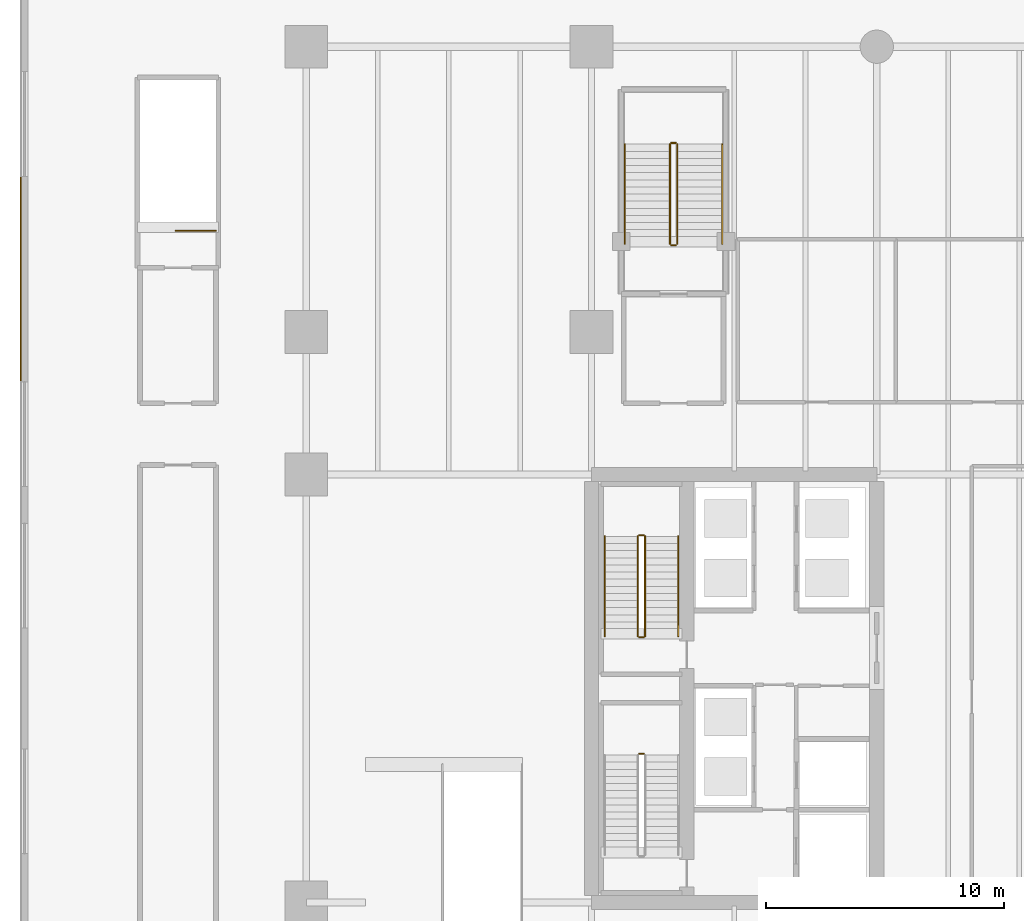
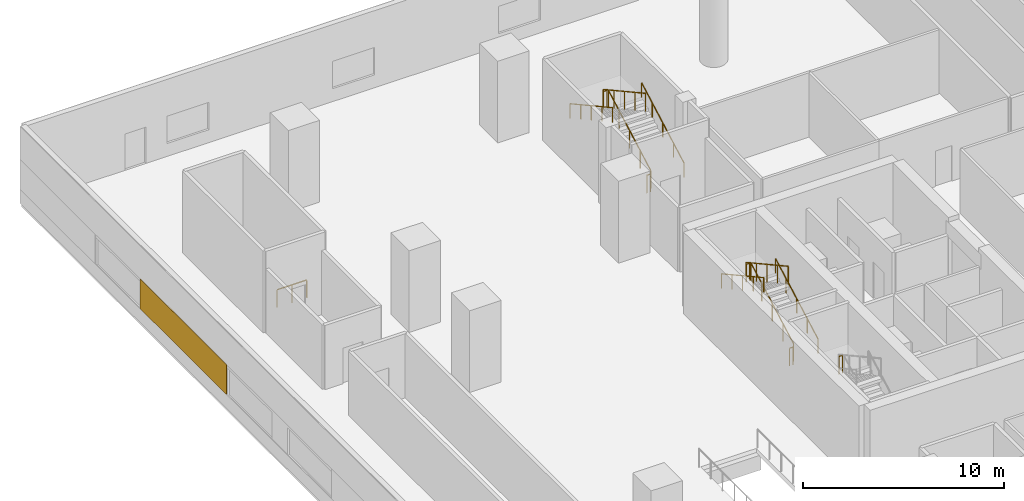
# One storey, part 20 of 25: 14 railings, 1 covering.
"""IFC4 building model written with IfcOpenShell, lengths in metres."""

import ifcopenshell
import ifcopenshell.guid

model = None  # the IFC model being written
_history = None  # IfcOwnerHistory: only IFC2X3 demands one
_inside = {}  # id of a spatial element -> (the spatial element, [elements in it])
_under = {}  # id of a project, library or spatial element -> (it, [spatial elements below it])
_declared = {}  # id of a project -> (the project, [libraries it declares])
_typed = {}  # id of a type object -> (the type object, [elements of that type])
_made_of = {}  # id of a material, layer set ... -> (it, [elements and type objects made of it])


def new_model(schema):
    """Start an empty IFC model of exactly this schema.

    Asked for "IFC4X3", IfcOpenShell would pick the latest addendum, in which some entities
    have other attributes; the version numbers below select the first issue.
    IFC2X3 requires an IfcOwnerHistory on every rooted entity: one is made here for all.
    """
    global model, _history
    if schema == "IFC4X3":
        model = ifcopenshell.file(schema_version=(4, 3, 0, 0))
    else:
        model = ifcopenshell.file(schema=schema)
    _inside.clear()
    _under.clear()
    _declared.clear()
    _typed.clear()
    _made_of.clear()
    _history = None
    if model.schema == "IFC2X3":
        org = make("IfcOrganization", Name="unknown")
        user = make(
            "IfcPersonAndOrganization",
            ThePerson=make("IfcPerson", FamilyName="unknown"),
            TheOrganization=org,
        )
        app = make(
            "IfcApplication",
            ApplicationDeveloper=org,
            Version="unknown",
            ApplicationFullName="unknown",
            ApplicationIdentifier="unknown",
        )
        _history = make(
            "IfcOwnerHistory",
            OwningUser=user,
            OwningApplication=app,
            ChangeAction="ADDED",
            CreationDate=0,
        )
    return model


def make(cls, **values):
    """One entity of the class cls with the attributes given. An attribute that is None is left unset."""
    return model.create_entity(
        cls, **{name: value for name, value in values.items() if value is not None}
    )


def rooted(cls, **values):
    """An entity with a GlobalId (a new one), such as an element, a storey or a relation."""
    return make(cls, GlobalId=ifcopenshell.guid.new(), OwnerHistory=_history, **values)


def si_unit(unit_type, name, prefix=None):
    """IfcSIUnit, for example si_unit("LENGTHUNIT", "METRE", prefix="MILLI")."""
    return make("IfcSIUnit", UnitType=unit_type, Prefix=prefix, Name=name)


def assignment(units):
    """IfcUnitAssignment: the units of a project."""
    return None if units is None else make("IfcUnitAssignment", Units=units)


def point(xyz):
    """IfcCartesianPoint."""
    return None if xyz is None else make("IfcCartesianPoint", Coordinates=xyz)


def direction(xyz):
    """IfcDirection."""
    return None if xyz is None else make("IfcDirection", DirectionRatios=xyz)


def frame(location, z_axis=None, x_axis=None):
    """IfcAxis2Placement3D, a coordinate frame: its origin and axes. An axis left out is left unset."""
    return make(
        "IfcAxis2Placement3D",
        Location=point(location),
        Axis=direction(z_axis),
        RefDirection=direction(x_axis),
    )


def frame_2d(location, x_axis=None):
    """IfcAxis2Placement2D, a coordinate frame in the plane: its origin and x axis."""
    return make(
        "IfcAxis2Placement2D", Location=point(location), RefDirection=direction(x_axis)
    )


def origin():
    """The frame at (0, 0, 0) with its axes left unset."""
    return frame((0.0, 0.0, 0.0))


def origin_2d():
    """The frame at (0, 0) in the plane with its x axis left unset."""
    return frame_2d((0.0, 0.0))


def place(relative_to, where):
    """IfcLocalPlacement: puts the frame where relative to a parent placement (None: the world)."""
    return make(
        "IfcLocalPlacement", PlacementRelTo=relative_to, RelativePlacement=where
    )


def context(
    kind, dimensions, precision=None, world=None, true_north=None, identifier=None
):
    """IfcGeometricRepresentationContext, for example the 3D "Model" context."""
    return make(
        "IfcGeometricRepresentationContext",
        ContextIdentifier=identifier,
        ContextType=kind,
        CoordinateSpaceDimension=dimensions,
        Precision=precision,
        WorldCoordinateSystem=world,
        TrueNorth=true_north,
    )


def subcontext(parent, identifier, kind, view, scale=None):
    """IfcGeometricRepresentationSubContext, for example "Body" below "Model"."""
    return make(
        "IfcGeometricRepresentationSubContext",
        ContextIdentifier=identifier,
        ContextType=kind,
        ParentContext=parent,
        TargetScale=scale,
        TargetView=view,
    )


def project(units=None, contexts=None):
    """IfcProject with its units and contexts."""
    return rooted(
        "IfcProject",
        Name="project",
        RepresentationContexts=contexts,
        UnitsInContext=assignment(units),
    )


def spatial(cls, under=None, at=None, **own):
    """A site, building, storey or space (cls), placed at a placement, below another one or the project."""
    s = rooted(cls, ObjectPlacement=at, **own)
    if under is not None:
        _under.setdefault(under.id(), (under, []))[1].append(s)
    return s


def profile(cls, at=None, kind="AREA", **sizes):
    """A parametric profile (cls). Its sizes go by their IFC names, for example OverallWidth=200.0."""
    return make(cls, ProfileType=kind, Position=at, **sizes)


def rectangle(**sizes):
    """IfcRectangleProfileDef."""
    return profile("IfcRectangleProfileDef", **sizes)


def extrude(swept, where, along, depth):
    """IfcExtrudedAreaSolid: the profile swept, set in the frame where, extruded along a direction by depth."""
    return make(
        "IfcExtrudedAreaSolid",
        SweptArea=swept,
        Position=where,
        ExtrudedDirection=direction(along),
        Depth=depth,
    )


def shape(context_of_items, identifier, shape_type, items):
    """IfcShapeRepresentation: the items that make up one representation, for example the "Body"."""
    return make(
        "IfcShapeRepresentation",
        ContextOfItems=context_of_items,
        RepresentationIdentifier=identifier,
        RepresentationType=shape_type,
        Items=items,
    )


def material(Name=None, Category=None):
    """IfcMaterial."""
    return make("IfcMaterial", Name=Name, Category=Category)


def layer(
    of_material, thickness, ventilated=None, Name=None, Category=None, Priority=None
):
    """IfcMaterialLayer: one layer of a wall or slab, of a material (None: an air gap)."""
    return make(
        "IfcMaterialLayer",
        Material=of_material,
        LayerThickness=thickness,
        IsVentilated=ventilated,
        Name=Name,
        Category=Category,
        Priority=Priority,
    )


def layer_set(layers, Name=None):
    """IfcMaterialLayerSet."""
    return make("IfcMaterialLayerSet", MaterialLayers=layers, LayerSetName=Name)


def made_of(thing, what):
    """Note that an element or type object is made of a material, layer set ...; save() writes the relation."""
    if what is not None:
        _made_of.setdefault(what.id(), (what, []))[1].append(thing)
    return thing


def type_object(cls, material=None, **own):
    """A type object (cls), such as IfcWallType, which elements share."""
    return made_of(rooted(cls, **own), material)


def element(
    cls,
    number,
    at=None,
    inside=None,
    cuts=None,
    type_object=None,
    material=None,
    context=None,
    identifier="Body",
    shape_type=None,
    held_by="IfcProductDefinitionShape",
    body=None,
    shapes=None,
    **own,
):
    """One element of the class cls, such as IfcWall. Its Tag is "e" and its number.

    at: its placement. inside: the storey or other place that contains it. cuts: it is an
    opening in that element (IfcRelVoidsElement). A single representation is given by context,
    identifier, shape_type and body (its items); several are given by shapes. held_by: the class
    of the entity that holds the representations. save() writes the other relations.
    """
    e = rooted(cls, Tag="e%d" % number, ObjectPlacement=at, **own)
    if body is not None:
        shapes = [shape(context, identifier, shape_type, body)]
    if shapes is not None:
        e.Representation = make(held_by, Representations=shapes)
    if inside is not None:
        _inside.setdefault(inside.id(), (inside, []))[1].append(e)
    if cuts is not None:
        rooted(
            "IfcRelVoidsElement", RelatingBuildingElement=cuts, RelatedOpeningElement=e
        )
    if type_object is not None:
        _typed.setdefault(type_object.id(), (type_object, []))[1].append(e)
    return made_of(e, material)


def aggregate(whole, parts):
    """IfcRelAggregates: a whole, such as a stair, and the parts it consists of."""
    return rooted("IfcRelAggregates", RelatingObject=whole, RelatedObjects=parts)


def save(model, path):
    """Write the relations noted so far, then the file.

    IfcRelAggregates (storeys below a building ...), IfcRelContainedInSpatialStructure (elements
    in a storey), IfcRelDefinesByType, IfcRelAssociatesMaterial and IfcRelDeclares: one each for
    every whole, place, type object, material and project.
    """
    for whole, parts in _under.values():
        aggregate(whole, parts)
    for where, things in _inside.values():
        rooted(
            "IfcRelContainedInSpatialStructure",
            RelatedElements=things,
            RelatingStructure=where,
        )
    for kind, things in _typed.values():
        rooted("IfcRelDefinesByType", RelatedObjects=things, RelatingType=kind)
    for what, things in _made_of.values():
        rooted("IfcRelAssociatesMaterial", RelatedObjects=things, RelatingMaterial=what)
    for by, libraries in _declared.values():
        rooted("IfcRelDeclares", RelatingContext=by, RelatedDefinitions=libraries)
    model.write(path)


model = new_model("IFC4")

# Units and contexts
model_context = context("Model", 3, precision=1e-05, world=origin(), true_north=direction((0.0, 1.0)))
body_context = subcontext(model_context, "Body", "Model", "MODEL_VIEW")
ifc_project = project(units=[si_unit("LENGTHUNIT", "METRE"), si_unit("AREAUNIT", "SQUARE_METRE"), si_unit("VOLUMEUNIT", "CUBIC_METRE"), si_unit("PLANEANGLEUNIT", "RADIAN"), si_unit("MASSUNIT", "GRAM", prefix="KILO")], contexts=[model_context])

# Site, building, storey
site_placement = place(None, origin())
site = spatial("IfcSite", under=ifc_project, at=site_placement, CompositionType="ELEMENT")
building_placement = place(site_placement, origin())
building = spatial("IfcBuilding", under=site, at=building_placement, Name="Tanjung Sevakor Pilgrim Tower", CompositionType="ELEMENT")
storey_placement = place(building_placement, origin())
storey = spatial("IfcBuildingStorey", under=building, at=storey_placement, Name="L01", CompositionType="ELEMENT", Elevation=0.0)

# Covering
ifc_material_1 = material(Name="Reconstructed Limestone Cladding", Category="masonry")
ifc_layer = layer(ifc_material_1, 0.044921875)
ifc_layer_set = layer_set([ifc_layer], Name="COV-CLAD-LIMESTONE")
covering_type = type_object("IfcCoveringType", Name="COV-CLAD-LIMESTONE", PredefinedType="CLADDING", material=ifc_layer_set)
covering_placement = place(storey_placement, frame((-0.0224609375, 50.824951171875, 0.849853515625), z_axis=(0.0, 0.0, 1.0), x_axis=(0.0, -1.0, 0.0)))
element("IfcCovering", 1, at=covering_placement, inside=storey, type_object=covering_type, Name="L01 Warm Limestone Pier Panel EW-L01-MAIN-4-2", PredefinedType="CLADDING", context=body_context, shape_type="SweptSolid", body=[
    extrude(rectangle(XDim=8.550048828125, YDim=0.044921875, at=origin_2d()), origin(), (0.0, 0.0, 1.0), 1.81005859375),
])

# Railings
ifc_material_2 = material(Name="Steel S355J2", Category="steel")
railing_type_1 = type_object("IfcRailingType", Name="RL-STAIR-GUARD", PredefinedType="GUARDRAIL", material=ifc_material_2)
railing_1_placement = place(storey_placement, frame((26.199951171875, 30.85009765625, 2.47509765625)))
element("IfcRailing", 2, at=railing_1_placement, inside=storey, type_object=railing_type_1, Name="L01 TS-W1 stair guard 2", PredefinedType="GUARDRAIL", context=body_context, shape_type="SweptSolid", body=[
    extrude(rectangle(XDim=0.0479, YDim=0.0479), frame((0.0, 0.0, 1.076171875), z_axis=(-1.0, 0.0, 0.0), x_axis=(0.0, -1.0, 0.0)), (0.0, 0.0, 1.0), 0.199951171875),
    extrude(rectangle(XDim=0.042, YDim=0.042), origin(), (0.0, 0.0, 1.0), 1.052001953125),
    extrude(rectangle(XDim=0.042, YDim=0.042), frame((-0.199951171875, 0.0, 0.0)), (0.0, 0.0, 1.0), 1.052001953125),
])
railing_2_placement = place(storey_placement, frame((26.25, 35.800048828125, 0.1650390625)))
element("IfcRailing", 3, at=railing_2_placement, inside=storey, type_object=railing_type_1, Name="L01 TS-W2 stair guard 1", PredefinedType="GUARDRAIL", context=body_context, shape_type="SweptSolid", body=[
    extrude(rectangle(XDim=0.0479, YDim=0.0479), frame((0.0, 0.0, 1.076171875), z_axis=(0.0, 0.876208380975, 0.481932436249), x_axis=(-1.0, 0.0, 0.0)), (0.0, 0.0, 1.0), 4.793212890625),
    extrude(rectangle(XDim=0.042, YDim=0.042), origin(), (0.0, 0.0, 1.0), 1.052001953125),
    extrude(rectangle(XDim=0.042, YDim=0.042), frame((0.0, 1.050048828125, 0.57763671875)), (0.0, 0.0, 1.0), 1.052001953125),
    extrude(rectangle(XDim=0.042, YDim=0.042), frame((0.0, 2.10009765625, 1.155029296875)), (0.0, 0.0, 1.0), 1.052001953125),
    extrude(rectangle(XDim=0.042, YDim=0.042), frame((0.0, 3.14990234375, 1.732421875)), (0.0, 0.0, 1.0), 1.052001953125),
    extrude(rectangle(XDim=0.042, YDim=0.042), frame((0.0, 4.199951171875, 2.31005859375)), (0.0, 0.0, 1.0), 1.052001953125),
])
railing_3_placement = place(storey_placement, frame((26.199951171875, 40.050048828125, 2.47509765625)))
element("IfcRailing", 4, at=railing_3_placement, inside=storey, type_object=railing_type_1, Name="L01 TS-W2 stair guard 2", PredefinedType="GUARDRAIL", context=body_context, shape_type="SweptSolid", body=[
    extrude(rectangle(XDim=0.0479, YDim=0.0479), frame((0.0, 0.0, 1.076171875), z_axis=(-1.0, 0.0, 0.0), x_axis=(0.0, -1.0, 0.0)), (0.0, 0.0, 1.0), 0.199951171875),
    extrude(rectangle(XDim=0.042, YDim=0.042), origin(), (0.0, 0.0, 1.0), 1.052001953125),
    extrude(rectangle(XDim=0.042, YDim=0.042), frame((-0.199951171875, 0.0, 0.0)), (0.0, 0.0, 1.0), 1.052001953125),
])
railing_4_placement = place(storey_placement, frame((25.949951171875, 40.0, 2.639892578125)))
element("IfcRailing", 5, at=railing_4_placement, inside=storey, type_object=railing_type_1, Name="L01 TS-W2 stair guard 3", PredefinedType="GUARDRAIL", context=body_context, shape_type="SweptSolid", body=[
    extrude(rectangle(XDim=0.0479, YDim=0.0479), frame((0.0, 0.0, 1.076171875), z_axis=(0.0, -0.876208380975, 0.481932436249), x_axis=(1.0, 0.0, 0.0)), (0.0, 0.0, 1.0), 4.793212890625),
    extrude(rectangle(XDim=0.042, YDim=0.042), origin(), (0.0, 0.0, 1.0), 1.052001953125),
    extrude(rectangle(XDim=0.042, YDim=0.042), frame((0.0, -1.050048828125, 0.57763671875)), (0.0, 0.0, 1.0), 1.052001953125),
    extrude(rectangle(XDim=0.042, YDim=0.042), frame((0.0, -2.10009765625, 1.155029296875)), (0.0, 0.0, 1.0), 1.052001953125),
    extrude(rectangle(XDim=0.042, YDim=0.042), frame((0.0, -3.14990234375, 1.732421875)), (0.0, 0.0, 1.0), 1.052001953125),
    extrude(rectangle(XDim=0.042, YDim=0.042), frame((0.0, -4.199951171875, 2.31005859375)), (0.0, 0.0, 1.0), 1.052001953125),
])
railing_5_placement = place(storey_placement, frame((26.199951171875, 35.75, 0.0)))
element("IfcRailing", 6, at=railing_5_placement, inside=storey, type_object=railing_type_1, Name="L01 TS-W2 stair guard 4", PredefinedType="GUARDRAIL", context=body_context, shape_type="SweptSolid", body=[
    extrude(rectangle(XDim=0.0479, YDim=0.0479), frame((0.0, 0.0, 1.076171875), z_axis=(-1.0, 0.0, 0.0), x_axis=(0.0, -1.0, 0.0)), (0.0, 0.0, 1.0), 0.199951171875),
    extrude(rectangle(XDim=0.042, YDim=0.042), origin(), (0.0, 0.0, 1.0), 1.052001953125),
    extrude(rectangle(XDim=0.042, YDim=0.042), frame((-0.199951171875, 0.0, 0.0)), (0.0, 0.0, 1.0), 1.052001953125),
])
railing_6_placement = place(storey_placement, frame((27.60009765625, 52.300048828125, 0.1650390625)))
element("IfcRailing", 7, at=railing_6_placement, inside=storey, type_object=railing_type_1, Name="L01 PS-2 stair guard 1", PredefinedType="GUARDRAIL", context=body_context, shape_type="SweptSolid", body=[
    extrude(rectangle(XDim=0.0479, YDim=0.0479), frame((0.0, 0.0, 1.076171875), z_axis=(0.0, 0.876208380975, 0.481932436249), x_axis=(-1.0, 0.0, 0.0)), (0.0, 0.0, 1.0), 4.793212890625),
    extrude(rectangle(XDim=0.042, YDim=0.042), origin(), (0.0, 0.0, 1.0), 1.052001953125),
    extrude(rectangle(XDim=0.042, YDim=0.042), frame((0.0, 1.050048828125, 0.57763671875)), (0.0, 0.0, 1.0), 1.052001953125),
    extrude(rectangle(XDim=0.042, YDim=0.042), frame((0.0, 2.10009765625, 1.155029296875)), (0.0, 0.0, 1.0), 1.052001953125),
    extrude(rectangle(XDim=0.042, YDim=0.042), frame((0.0, 3.14990234375, 1.732421875)), (0.0, 0.0, 1.0), 1.052001953125),
    extrude(rectangle(XDim=0.042, YDim=0.042), frame((0.0, 4.199951171875, 2.31005859375)), (0.0, 0.0, 1.0), 1.052001953125),
])
railing_7_placement = place(storey_placement, frame((27.550048828125, 56.550048828125, 2.47509765625)))
element("IfcRailing", 8, at=railing_7_placement, inside=storey, type_object=railing_type_1, Name="L01 PS-2 stair guard 2", PredefinedType="GUARDRAIL", context=body_context, shape_type="SweptSolid", body=[
    extrude(rectangle(XDim=0.0479, YDim=0.0479), frame((0.0, 0.0, 1.076171875), z_axis=(-1.0, 0.0, 0.0), x_axis=(0.0, -1.0, 0.0)), (0.0, 0.0, 1.0), 0.199951171875),
    extrude(rectangle(XDim=0.042, YDim=0.042), origin(), (0.0, 0.0, 1.0), 1.052001953125),
    extrude(rectangle(XDim=0.042, YDim=0.042), frame((-0.199951171875, 0.0, 0.0)), (0.0, 0.0, 1.0), 1.052001953125),
])
railing_8_placement = place(storey_placement, frame((27.300048828125, 56.5, 2.639892578125)))
element("IfcRailing", 9, at=railing_8_placement, inside=storey, type_object=railing_type_1, Name="L01 PS-2 stair guard 3", PredefinedType="GUARDRAIL", context=body_context, shape_type="SweptSolid", body=[
    extrude(rectangle(XDim=0.0479, YDim=0.0479), frame((0.0, 0.0, 1.076171875), z_axis=(0.0, -0.876208380975, 0.481932436249), x_axis=(1.0, 0.0, 0.0)), (0.0, 0.0, 1.0), 4.793212890625),
    extrude(rectangle(XDim=0.042, YDim=0.042), origin(), (0.0, 0.0, 1.0), 1.052001953125),
    extrude(rectangle(XDim=0.042, YDim=0.042), frame((0.0, -1.050048828125, 0.57763671875)), (0.0, 0.0, 1.0), 1.052001953125),
    extrude(rectangle(XDim=0.042, YDim=0.042), frame((0.0, -2.10009765625, 1.155029296875)), (0.0, 0.0, 1.0), 1.052001953125),
    extrude(rectangle(XDim=0.042, YDim=0.042), frame((0.0, -3.14990234375, 1.732421875)), (0.0, 0.0, 1.0), 1.052001953125),
    extrude(rectangle(XDim=0.042, YDim=0.042), frame((0.0, -4.199951171875, 2.31005859375)), (0.0, 0.0, 1.0), 1.052001953125),
])
railing_9_placement = place(storey_placement, frame((27.550048828125, 52.25, 0.0)))
element("IfcRailing", 10, at=railing_9_placement, inside=storey, type_object=railing_type_1, Name="L01 PS-2 stair guard 4", PredefinedType="GUARDRAIL", context=body_context, shape_type="SweptSolid", body=[
    extrude(rectangle(XDim=0.0479, YDim=0.0479), frame((0.0, 0.0, 1.076171875), z_axis=(-1.0, 0.0, 0.0), x_axis=(0.0, -1.0, 0.0)), (0.0, 0.0, 1.0), 0.199951171875),
    extrude(rectangle(XDim=0.042, YDim=0.042), origin(), (0.0, 0.0, 1.0), 1.052001953125),
    extrude(rectangle(XDim=0.042, YDim=0.042), frame((-0.199951171875, 0.0, 0.0)), (0.0, 0.0, 1.0), 1.052001953125),
])
railing_10_placement = place(storey_placement, frame((8.199951171875, 52.85009765625, 0.0)))
element("IfcRailing", 11, at=railing_10_placement, inside=storey, type_object=railing_type_1, Name="L01 BS-2 top well guard 1", PredefinedType="GUARDRAIL", context=body_context, shape_type="SweptSolid", body=[
    extrude(rectangle(XDim=0.0479, YDim=0.0479), frame((0.0, 0.0, 1.076171875), z_axis=(-1.0, 0.0, 0.0), x_axis=(0.0, -1.0, 0.0)), (0.0, 0.0, 1.0), 1.699951171875),
    extrude(rectangle(XDim=0.042, YDim=0.042), origin(), (0.0, 0.0, 1.0), 1.052001953125),
    extrude(rectangle(XDim=0.042, YDim=0.042), frame((-0.85009765625, 0.0, 0.0)), (0.0, 0.0, 1.0), 1.052001953125),
    extrude(rectangle(XDim=0.042, YDim=0.042), frame((-1.699951171875, 0.0, 0.0)), (0.0, 0.0, 1.0), 1.052001953125),
])
ifc_material_3 = material(Name="Steel S355J2", Category="steel")
railing_type_2 = type_object("IfcRailingType", Name="RL-STAIR-HAND", PredefinedType="HANDRAIL", material=ifc_material_3)
railing_11_placement = place(storey_placement, frame((27.64990234375, 35.800048828125, 0.1650390625)))
element("IfcRailing", 12, at=railing_11_placement, inside=storey, type_object=railing_type_2, Name="L01 TS-W2 stair handrail 1", PredefinedType="HANDRAIL", context=body_context, shape_type="SweptSolid", body=[
    extrude(rectangle(XDim=0.0479, YDim=0.0479), frame((0.0, 0.0, 0.8759765625), z_axis=(0.0, 0.876208380975, 0.481932436249), x_axis=(-1.0, 0.0, 0.0)), (0.0, 0.0, 1.0), 4.793212890625),
    extrude(rectangle(XDim=0.042, YDim=0.042), origin(), (0.0, 0.0, 1.0), 0.851806640625),
    extrude(rectangle(XDim=0.042, YDim=0.042), frame((0.0, 1.050048828125, 0.57763671875)), (0.0, 0.0, 1.0), 0.851806640625),
    extrude(rectangle(XDim=0.042, YDim=0.042), frame((0.0, 2.10009765625, 1.155029296875)), (0.0, 0.0, 1.0), 0.851806640625),
    extrude(rectangle(XDim=0.042, YDim=0.042), frame((0.0, 3.14990234375, 1.732421875)), (0.0, 0.0, 1.0), 0.851806640625),
    extrude(rectangle(XDim=0.042, YDim=0.042), frame((0.0, 4.199951171875, 2.31005859375)), (0.0, 0.0, 1.0), 0.851806640625),
])
railing_12_placement = place(storey_placement, frame((24.550048828125, 40.0, 2.639892578125)))
element("IfcRailing", 13, at=railing_12_placement, inside=storey, type_object=railing_type_2, Name="L01 TS-W2 stair handrail 2", PredefinedType="HANDRAIL", context=body_context, shape_type="SweptSolid", body=[
    extrude(rectangle(XDim=0.0479, YDim=0.0479), frame((0.0, 0.0, 0.8759765625), z_axis=(0.0, -0.876208380975, 0.481932436249), x_axis=(1.0, 0.0, 0.0)), (0.0, 0.0, 1.0), 4.793212890625),
    extrude(rectangle(XDim=0.042, YDim=0.042), origin(), (0.0, 0.0, 1.0), 0.851806640625),
    extrude(rectangle(XDim=0.042, YDim=0.042), frame((0.0, -1.050048828125, 0.57763671875)), (0.0, 0.0, 1.0), 0.851806640625),
    extrude(rectangle(XDim=0.042, YDim=0.042), frame((0.0, -2.10009765625, 1.155029296875)), (0.0, 0.0, 1.0), 0.851806640625),
    extrude(rectangle(XDim=0.042, YDim=0.042), frame((0.0, -3.14990234375, 1.732421875)), (0.0, 0.0, 1.0), 0.851806640625),
    extrude(rectangle(XDim=0.042, YDim=0.042), frame((0.0, -4.199951171875, 2.31005859375)), (0.0, 0.0, 1.0), 0.851806640625),
])
railing_13_placement = place(storey_placement, frame((29.5, 52.300048828125, 0.1650390625)))
element("IfcRailing", 14, at=railing_13_placement, inside=storey, type_object=railing_type_2, Name="L01 PS-2 stair handrail 1", PredefinedType="HANDRAIL", context=body_context, shape_type="SweptSolid", body=[
    extrude(rectangle(XDim=0.0479, YDim=0.0479), frame((0.0, 0.0, 0.8759765625), z_axis=(0.0, 0.876208380975, 0.481932436249), x_axis=(-1.0, 0.0, 0.0)), (0.0, 0.0, 1.0), 4.793212890625),
    extrude(rectangle(XDim=0.042, YDim=0.042), origin(), (0.0, 0.0, 1.0), 0.851806640625),
    extrude(rectangle(XDim=0.042, YDim=0.042), frame((0.0, 1.050048828125, 0.57763671875)), (0.0, 0.0, 1.0), 0.851806640625),
    extrude(rectangle(XDim=0.042, YDim=0.042), frame((0.0, 2.10009765625, 1.155029296875)), (0.0, 0.0, 1.0), 0.851806640625),
    extrude(rectangle(XDim=0.042, YDim=0.042), frame((0.0, 3.14990234375, 1.732421875)), (0.0, 0.0, 1.0), 0.851806640625),
    extrude(rectangle(XDim=0.042, YDim=0.042), frame((0.0, 4.199951171875, 2.31005859375)), (0.0, 0.0, 1.0), 0.851806640625),
])
railing_14_placement = place(storey_placement, frame((25.39990234375, 56.5, 2.639892578125)))
element("IfcRailing", 15, at=railing_14_placement, inside=storey, type_object=railing_type_2, Name="L01 PS-2 stair handrail 2", PredefinedType="HANDRAIL", context=body_context, shape_type="SweptSolid", body=[
    extrude(rectangle(XDim=0.0479, YDim=0.0479), frame((0.0, 0.0, 0.8759765625), z_axis=(0.0, -0.876208380975, 0.481932436249), x_axis=(1.0, 0.0, 0.0)), (0.0, 0.0, 1.0), 4.793212890625),
    extrude(rectangle(XDim=0.042, YDim=0.042), origin(), (0.0, 0.0, 1.0), 0.851806640625),
    extrude(rectangle(XDim=0.042, YDim=0.042), frame((0.0, -1.050048828125, 0.57763671875)), (0.0, 0.0, 1.0), 0.851806640625),
    extrude(rectangle(XDim=0.042, YDim=0.042), frame((0.0, -2.10009765625, 1.155029296875)), (0.0, 0.0, 1.0), 0.851806640625),
    extrude(rectangle(XDim=0.042, YDim=0.042), frame((0.0, -3.14990234375, 1.732421875)), (0.0, 0.0, 1.0), 0.851806640625),
    extrude(rectangle(XDim=0.042, YDim=0.042), frame((0.0, -4.199951171875, 2.31005859375)), (0.0, 0.0, 1.0), 0.851806640625),
])

save(model, "model.ifc")
